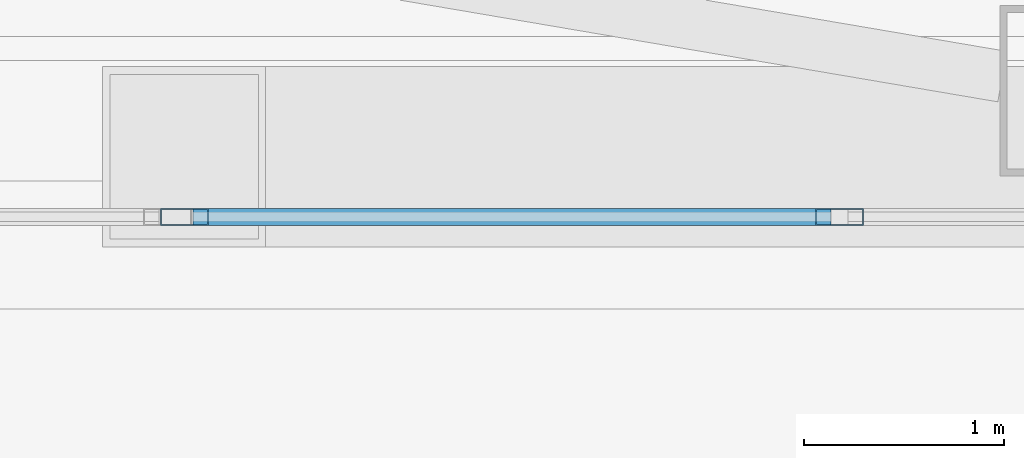
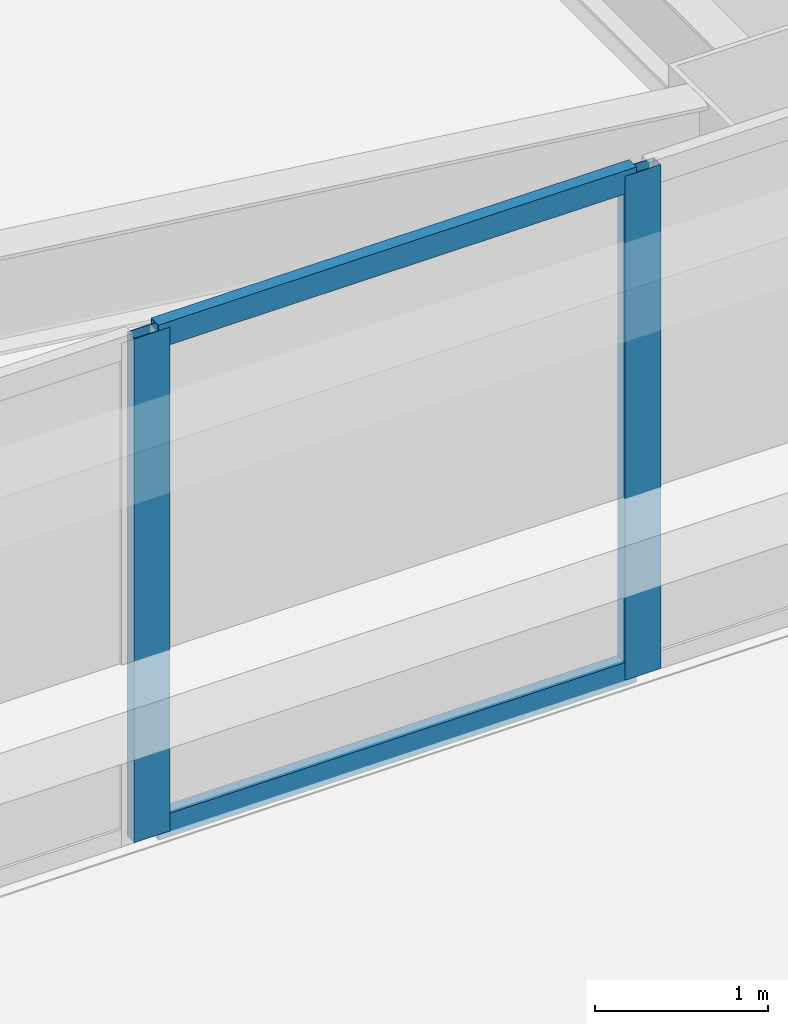
# One storey, part 9 of 83: 4 members, 1 element without a shape of its own.
"""IFC4 building model written with IfcOpenShell, lengths in metres."""

from ifc_helpers import new_model, si_unit, direction, frame, origin, origin_2d, place, context, subcontext, project, spatial, hollow_rectangle, extrude, material, material_profile, profile_set, type_object, element, aggregate, save


model = new_model("IFC4")

# Units and contexts
model_context = context("Model", 3, precision=1e-05, world=origin(), true_north=direction((0.0, 1.0)))
body_context = subcontext(model_context, "Body", "Model", "MODEL_VIEW")
ifc_project = project(units=[si_unit("LENGTHUNIT", "METRE"), si_unit("AREAUNIT", "SQUARE_METRE"), si_unit("VOLUMEUNIT", "CUBIC_METRE"), si_unit("PLANEANGLEUNIT", "RADIAN"), si_unit("MASSUNIT", "GRAM", prefix="KILO")], contexts=[model_context])

# Site, building, storey
site_placement = place(None, origin())
site = spatial("IfcSite", under=ifc_project, at=site_placement, CompositionType="ELEMENT")
building_placement = place(site_placement, origin())
building = spatial("IfcBuilding", under=site, at=building_placement, Name="Tashvorn Skyway Center", CompositionType="ELEMENT")
storey_placement = place(building_placement, frame((0.0, 0.0, 24.60009765625)))
storey = spatial("IfcBuildingStorey", under=building, at=storey_placement, Name="L05", CompositionType="ELEMENT", Elevation=24.60009765625)

# Curtain wall, members
ifc_material = material(Name="Thermally broken bronze-anodized aluminium 6063-T6", Category="aluminium")
curtain_wall_type = type_object("IfcCurtainWallType", Name="CW-CW-Z1", PredefinedType="NOTDEFINED", material=ifc_material)
curtain_wall_placement = place(storey_placement, origin())
curtain_wall = element("IfcCurtainWall", 1, at=curtain_wall_placement, inside=storey, type_object=curtain_wall_type, Name="Tower 1 L05 South Unitised Curtain Wall Glazing Group 3", PredefinedType="NOTDEFINED")
ifc_material_profile_1 = material_profile(ifc_material, hollow_rectangle(XDim=0.0849609375, YDim=0.239990234375, WallThickness=0.0048828125, at=origin_2d()), Name="ALU-MULL-85x240")
ifc_profile_set_1 = profile_set([ifc_material_profile_1], Name="Thermally broken bronze-anodized aluminium 6063-T6")
member_type_1 = type_object("IfcMemberType", Name="CWM-CW-Z1", PredefinedType="MULLION", material=ifc_profile_set_1)
member_1_placement = place(storey_placement, frame((35.373291015625, 9.1201171875, 0.0), z_axis=(0.0, 0.0, 1.0), x_axis=(0.0, -1.0, 0.0)))
member_1 = element("IfcMember", 2, at=member_1_placement, type_object=member_type_1, Name="CW-Z1 mullion 2", PredefinedType="MULLION", context=body_context, shape_type="SweptSolid", body=[
    extrude(hollow_rectangle(XDim=0.0849609375, YDim=0.239990234375, WallThickness=0.0048828125, at=origin_2d()), origin(), (0.0, 0.0, 1.0), 3.5498046875),
])
member_2_placement = place(storey_placement, frame((32.1025390625, 9.1201171875, 0.0), z_axis=(0.0, 0.0, 1.0), x_axis=(0.0, -1.0, 0.0)))
member_2 = element("IfcMember", 3, at=member_2_placement, type_object=member_type_1, Name="CW-Z1 mullion 3", PredefinedType="MULLION", context=body_context, shape_type="SweptSolid", body=[
    extrude(hollow_rectangle(XDim=0.0849609375, YDim=0.239990234375, WallThickness=0.0048828125, at=origin_2d()), origin(), (0.0, 0.0, 1.0), 3.5498046875),
])
ifc_material_profile_2 = material_profile(ifc_material, hollow_rectangle(XDim=0.0849609375, YDim=0.1650390625, WallThickness=0.0048828125, at=origin_2d()), Name="ALU-TRAN-85x165")
ifc_profile_set_2 = profile_set([ifc_material_profile_2], Name="Thermally broken bronze-anodized aluminium 6063-T6")
member_type_2 = type_object("IfcMemberType", Name="CWT-CW-Z1", PredefinedType="USERDEFINED", material=ifc_profile_set_2)
member_3_placement = place(storey_placement, frame((35.330810546875, 9.1201171875, 0.04248046875), z_axis=(-1.0, 0.0, 0.0), x_axis=(0.0, -1.0, 0.0)))
member_3 = element("IfcMember", 4, at=member_3_placement, type_object=member_type_2, Name="CW-Z1 transom 2.1", ObjectType="TRANSOM", PredefinedType="USERDEFINED", context=body_context, shape_type="SweptSolid", body=[
    extrude(hollow_rectangle(XDim=0.0849609375, YDim=0.1650390625, WallThickness=0.0048828125, at=origin_2d()), origin(), (0.0, 0.0, 1.0), 3.185791015625),
])
member_4_placement = place(storey_placement, frame((35.330810546875, 9.1201171875, 3.50732421875), z_axis=(-1.0, 0.0, 0.0), x_axis=(0.0, -1.0, 0.0)))
member_4 = element("IfcMember", 5, at=member_4_placement, type_object=member_type_2, Name="CW-Z1 transom 2.2", ObjectType="TRANSOM", PredefinedType="USERDEFINED", context=body_context, shape_type="SweptSolid", body=[
    extrude(hollow_rectangle(XDim=0.0849609375, YDim=0.1650390625, WallThickness=0.0048828125, at=origin_2d()), origin(), (0.0, 0.0, 1.0), 3.185791015625),
])
aggregate(curtain_wall, [member_1, member_2, member_3, member_4])

save(model, "model.ifc")
